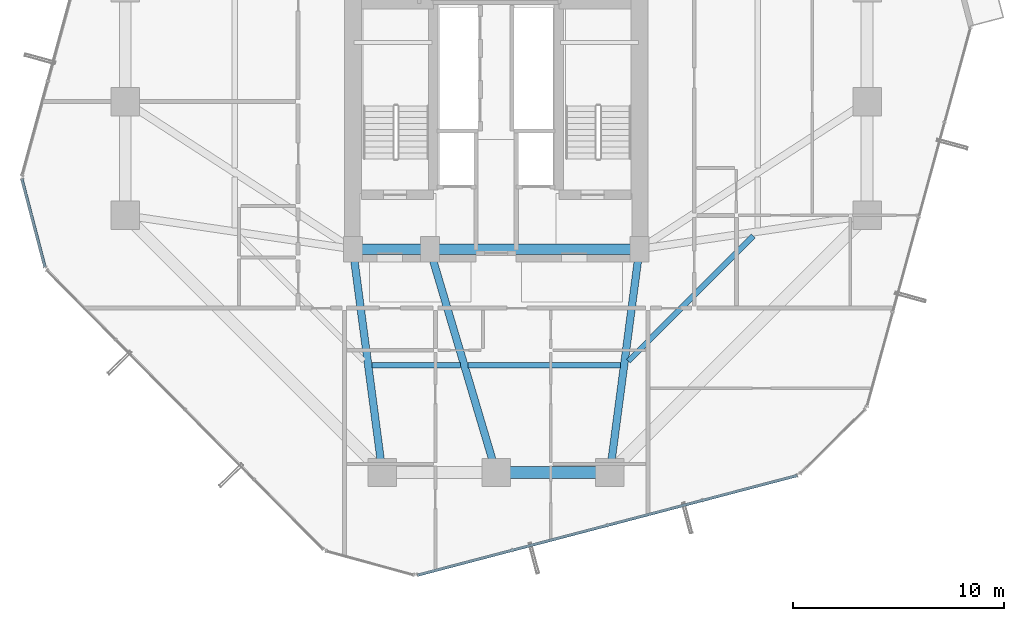
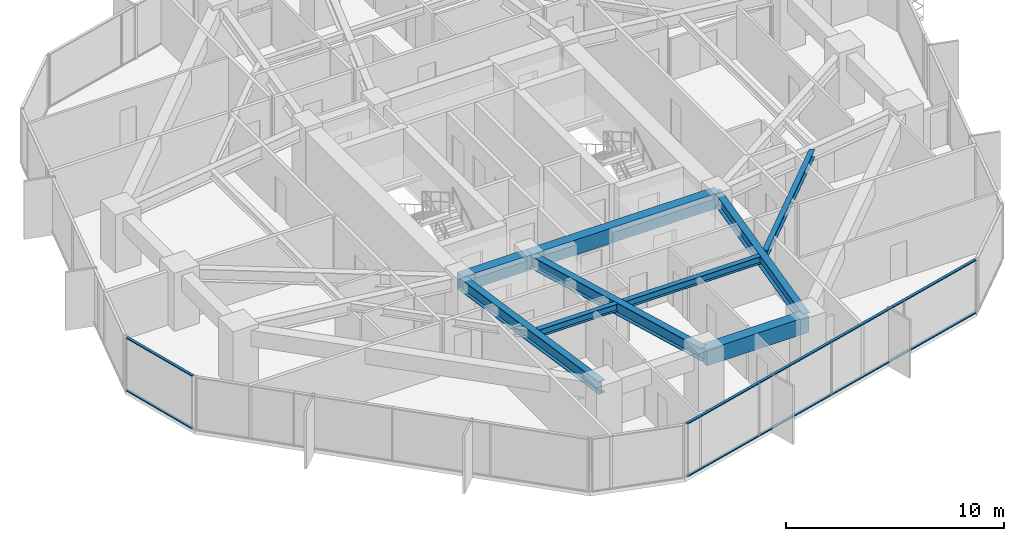
# One storey, part 8 of 39: 9 beams, 4 members, 2 elements without a shape of their own.
"""IFC4 building model written with IfcOpenShell, lengths in metres."""

from ifc_helpers import new_model, si_unit, direction, frame, origin, origin_2d, place, context, subcontext, project, spatial, rectangle, hollow_rectangle, i_section, extrude, source, transform, mapped, material, layer, layer_set, material_profile, profile_set, type_object, element, aggregate, save


model = new_model("IFC4")

# Units and contexts
model_context = context("Model", 3, precision=1e-05, world=origin(), true_north=direction((0.0, 1.0)))
body_context = subcontext(model_context, "Body", "Model", "MODEL_VIEW")
ifc_project = project(units=[si_unit("LENGTHUNIT", "METRE"), si_unit("AREAUNIT", "SQUARE_METRE"), si_unit("VOLUMEUNIT", "CUBIC_METRE"), si_unit("PLANEANGLEUNIT", "RADIAN"), si_unit("MASSUNIT", "GRAM", prefix="KILO")], contexts=[model_context])

# Site, building, storey
site_placement = place(None, origin())
site = spatial("IfcSite", under=ifc_project, at=site_placement, CompositionType="ELEMENT")
building_placement = place(site_placement, origin())
building = spatial("IfcBuilding", under=site, at=building_placement, Name="Veraguas Prism Commons", CompositionType="ELEMENT")
storey_placement = place(building_placement, frame((0.0, 0.0, 73.85009765625)))
storey = spatial("IfcBuildingStorey", under=building, at=storey_placement, Name="L20", CompositionType="ELEMENT", Elevation=73.85009765625)

# Beams
ifc_material_1 = material(Name="Concrete C50/60", Category="concrete")
ifc_material_profile_1 = material_profile(ifc_material_1, rectangle(XDim=0.5, YDim=0.85009765625, at=origin_2d()), Name="RC500X850")
ifc_profile_set_1 = profile_set([ifc_material_profile_1], Name="Concrete C50/60")
beam_type_1 = type_object("IfcBeamType", Name="Core Coupling Beam RC 500x850", PredefinedType="BEAM", material=ifc_profile_set_1)
beam_1_placement = place(storey_placement, frame((17.199951171875, 17.0, 2.574951171875), z_axis=(1.0, 0.0, 0.0), x_axis=(0.0, 1.0, 0.0)))
element("IfcBeam", 1, at=beam_1_placement, inside=storey, type_object=beam_type_1, Name="Core Coupling Beam L20-CRS1", PredefinedType="BEAM", context=body_context, shape_type="SweptSolid", body=[
    extrude(rectangle(XDim=0.5, YDim=0.85009765625, at=origin_2d()), origin(), (0.0, 0.0, 1.0), 3.650146484375),
])
beam_2_placement = place(storey_placement, frame((20.85009765625, 17.0, 2.574951171875), z_axis=(1.0, 0.0, 0.0), x_axis=(0.0, 1.0, 0.0)))
element("IfcBeam", 2, at=beam_2_placement, inside=storey, type_object=beam_type_1, Name="Core Coupling Beam L20-CRS2", PredefinedType="BEAM", context=body_context, shape_type="SweptSolid", body=[
    extrude(rectangle(XDim=0.5, YDim=0.85009765625, at=origin_2d()), origin(), (0.0, 0.0, 1.0), 9.949951171875),
])
ifc_material_2 = material(Name="Steel ASTM A992 Grade 50", Category="steel")
ifc_material_profile_2 = material_profile(ifc_material_2, i_section(OverallWidth=0.260986328125, OverallDepth=0.419921875, WebThickness=0.01171875, FlangeThickness=0.019287109375, at=origin_2d()), Name="W410X114")
ifc_profile_set_2 = profile_set([ifc_material_profile_2], Name="Steel ASTM A992 Grade 50")
beam_type_2 = type_object("IfcBeamType", Name="Lower Floor Joist W410x114", PredefinedType="JOIST", material=ifc_profile_set_2)
beam_3_placement = place(storey_placement, frame((18.10546875, 11.488037109375, 2.789794921875), z_axis=(1.0, 0.0, 0.0), x_axis=(0.0, 1.0, 0.0)))
element("IfcBeam", 3, at=beam_3_placement, inside=storey, type_object=beam_type_2, Name="Composite Floor Joist L20-JS10", PredefinedType="JOIST", context=body_context, shape_type="SweptSolid", body=[
    extrude(i_section(OverallWidth=0.260986328125, OverallDepth=0.419921875, WebThickness=0.01171875, FlangeThickness=0.019287109375, at=origin_2d()), origin(), (0.0, 0.0, 1.0), 4.198974609375),
])
beam_4_placement = place(storey_placement, frame((22.671630859375, 11.488037109375, 2.789794921875), z_axis=(1.0, 0.0, 0.0), x_axis=(0.0, 1.0, 0.0)))
element("IfcBeam", 4, at=beam_4_placement, inside=storey, type_object=beam_type_2, Name="Composite Floor Joist L20-JS11", PredefinedType="JOIST", context=body_context, shape_type="SweptSolid", body=[
    extrude(i_section(OverallWidth=0.260986328125, OverallDepth=0.419921875, WebThickness=0.01171875, FlangeThickness=0.019287109375, at=origin_2d()), origin(), (0.0, 0.0, 1.0), 7.222900390625),
])
beam_5_placement = place(storey_placement, frame((30.276611328125, 11.6923828125, 2.789794921875), z_axis=(0.707092226423, 0.70712133565, 0.0), x_axis=(-0.70712133565, 0.707092226423, 0.0)))
element("IfcBeam", 5, at=beam_5_placement, inside=storey, type_object=beam_type_2, Name="Composite Floor Joist L20-JS12", PredefinedType="JOIST", context=body_context, shape_type="SweptSolid", body=[
    extrude(i_section(OverallWidth=0.260986328125, OverallDepth=0.419921875, WebThickness=0.01171875, FlangeThickness=0.019287109375, at=origin_2d()), origin(), (0.0, 0.0, 1.0), 8.386962890625),
])
ifc_material_profile_3 = material_profile(ifc_material_1, rectangle(XDim=0.550048828125, YDim=0.89990234375, at=origin_2d()), Name="RC550X900")
ifc_profile_set_3 = profile_set([ifc_material_profile_3], Name="Concrete C50/60")
beam_type_3 = type_object("IfcBeamType", Name="Perimeter Spandrel Lower RC 550x900", PredefinedType="SPANDREL", material=ifc_profile_set_3)
beam_6_placement = place(storey_placement, frame((24.0, 6.39990234375, 2.5498046875), z_axis=(1.0, 0.0, 0.0), x_axis=(0.0, 1.0, 0.0)))
element("IfcBeam", 6, at=beam_6_placement, inside=storey, type_object=beam_type_3, Name="Perimeter Spandrel Beam L20-SP11", PredefinedType="SPANDREL", context=body_context, shape_type="SweptSolid", body=[
    extrude(rectangle(XDim=0.550048828125, YDim=0.89990234375, at=origin_2d()), origin(), (0.0, 0.0, 1.0), 5.39990234375),
])
ifc_material_profile_4 = material_profile(ifc_material_2, i_section(OverallWidth=0.35595703125, OverallDepth=0.700927734375, WebThickness=0.016845703125, FlangeThickness=0.02734375, at=origin_2d()), Name="W690X240")
ifc_profile_set_4 = profile_set([ifc_material_profile_4], Name="Steel ASTM A992 Grade 50")
beam_type_4 = type_object("IfcBeamType", Name="Zone 1 Radial Girder W690x240", PredefinedType="BEAM", material=ifc_profile_set_4)
beam_7_placement = place(storey_placement, frame((18.60009765625, 6.39990234375, 2.6494140625), z_axis=(-0.130950648891, 0.991388888154, 0.0), x_axis=(-0.991388888154, -0.130950648891, 0.0)))
element("IfcBeam", 7, at=beam_7_placement, inside=storey, type_object=beam_type_4, Name="Radial Floor Girder L20-RD10", PredefinedType="BEAM", context=body_context, shape_type="SweptSolid", body=[
    extrude(i_section(OverallWidth=0.35595703125, OverallDepth=0.700927734375, WebThickness=0.016845703125, FlangeThickness=0.02734375, at=origin_2d()), origin(), (0.0, 0.0, 1.0), 10.692138671875),
])
beam_8_placement = place(storey_placement, frame((24.0, 6.39990234375, 2.6494140625), z_axis=(-0.28484745997, 0.958572858237, 0.0), x_axis=(-0.958572858237, -0.28484745997, 0.0)))
element("IfcBeam", 8, at=beam_8_placement, inside=storey, type_object=beam_type_4, Name="Radial Floor Girder L20-RD11", PredefinedType="BEAM", context=body_context, shape_type="SweptSolid", body=[
    extrude(i_section(OverallWidth=0.35595703125, OverallDepth=0.700927734375, WebThickness=0.016845703125, FlangeThickness=0.02734375, at=origin_2d()), origin(), (0.0, 0.0, 1.0), 11.05810546875),
])
beam_9_placement = place(storey_placement, frame((29.39990234375, 6.39990234375, 2.6494140625), z_axis=(0.130950648891, 0.991388888154, 0.0), x_axis=(-0.991388888154, 0.130950648891, 0.0)))
element("IfcBeam", 9, at=beam_9_placement, inside=storey, type_object=beam_type_4, Name="Radial Floor Girder L20-RD12", PredefinedType="BEAM", context=body_context, shape_type="SweptSolid", body=[
    extrude(i_section(OverallWidth=0.35595703125, OverallDepth=0.700927734375, WebThickness=0.016845703125, FlangeThickness=0.02734375, at=origin_2d()), origin(), (0.0, 0.0, 1.0), 10.692138671875),
])

# Curtain wall, members
ifc_material_3 = material(Name="Anodised aluminium EN AW-6063 T6", Category="aluminium")
ifc_layer = layer(ifc_material_3, 0.169921875, Name="Unitised Flush Curtain Wall Zone 1", Category="aluminium")
ifc_layer_set = layer_set([ifc_layer], Name="Anodised aluminium EN AW-6063 T6")
curtain_wall_type = type_object("IfcCurtainWallType", Name="Unitised Flush Curtain Wall Zone 1", PredefinedType="NOTDEFINED", material=ifc_layer_set)
curtain_wall_1_placement = place(storey_placement, origin())
curtain_wall_1 = element("IfcCurtainWall", 10, at=curtain_wall_1_placement, inside=storey, type_object=curtain_wall_type, Name="Tower Facade Curtain Wall L20-F5", PredefinedType="NOTDEFINED")
ifc_material_profile_5 = material_profile(ifc_material_3, hollow_rectangle(XDim=0.054931640625, YDim=0.135009765625, WallThickness=0.0029296875, at=origin_2d()), Name="AL55X135X3")
ifc_profile_set_5 = profile_set([ifc_material_profile_5], Name="Anodised aluminium EN AW-6063 T6")
member_type = type_object("IfcMemberType", Name="Curtain Wall Transom Standard AL 55x135x3", PredefinedType="USERDEFINED", material=ifc_profile_set_5)
shared_shape_1 = source(origin(), body_context, "Body", "SweptSolid", [
    extrude(hollow_rectangle(XDim=0.054931640625, YDim=0.135009765625, WallThickness=0.0029296875, at=origin_2d()), origin(), (0.0, 0.0, 1.0), 18.6240234375),
])
member_1_placement = place(storey_placement, frame((20.26708984375, 1.53271484375, 0.02734375), z_axis=(0.967266649367, 0.253762150493, 0.0), x_axis=(0.0, 0.0, 1.0)))
member_1 = element("IfcMember", 11, at=member_1_placement, type_object=member_type, Name="CW-Z1 Transom 1", ObjectType="TRANSOM", PredefinedType="USERDEFINED", context=body_context, shape_type="MappedRepresentation", body=[
    mapped(shared_shape_1, transform((0.0, 0.0, 0.0), scale=1.0)),
])
member_2_placement = place(storey_placement, frame((20.26708984375, 1.53271484375, 2.972412109375), z_axis=(0.967266649367, 0.253762150493, 0.0), x_axis=(0.0, 0.0, 1.0)))
member_2 = element("IfcMember", 12, at=member_2_placement, type_object=member_type, Name="CW-Z1 Transom 2", ObjectType="TRANSOM", PredefinedType="USERDEFINED", context=body_context, shape_type="MappedRepresentation", body=[
    mapped(shared_shape_1, transform((0.0, 0.0, 0.0), scale=1.0)),
])
aggregate(curtain_wall_1, [member_1, member_2])

curtain_wall_2_placement = place(storey_placement, origin())
curtain_wall_2 = element("IfcCurtainWall", 13, at=curtain_wall_2_placement, inside=storey, type_object=curtain_wall_type, Name="Chamfer Curtain Wall L20-C4", PredefinedType="NOTDEFINED")
shared_shape_2 = source(origin(), body_context, "Body", "SweptSolid", [
    extrude(hollow_rectangle(XDim=0.054931640625, YDim=0.135009765625, WallThickness=0.0029296875, at=origin_2d()), origin(), (0.0, 0.0, 1.0), 4.320068359375),
])
member_3_placement = place(storey_placement, frame((1.493896484375, 20.328857421875, 0.02734375), z_axis=(0.253742159558, -0.967271893762, 0.0), x_axis=(0.0, 0.0, 1.0)))
member_3 = element("IfcMember", 14, at=member_3_placement, type_object=member_type, Name="CW-Z1 Transom 1", ObjectType="TRANSOM", PredefinedType="USERDEFINED", context=body_context, shape_type="MappedRepresentation", body=[
    mapped(shared_shape_2, transform((0.0, 0.0, 0.0), scale=1.0)),
])
member_4_placement = place(storey_placement, frame((1.493896484375, 20.328857421875, 2.972412109375), z_axis=(0.253742159558, -0.967271893762, 0.0), x_axis=(0.0, 0.0, 1.0)))
member_4 = element("IfcMember", 15, at=member_4_placement, type_object=member_type, Name="CW-Z1 Transom 2", ObjectType="TRANSOM", PredefinedType="USERDEFINED", context=body_context, shape_type="MappedRepresentation", body=[
    mapped(shared_shape_2, transform((0.0, 0.0, 0.0), scale=1.0)),
])
aggregate(curtain_wall_2, [member_3, member_4])

save(model, "model.ifc")
